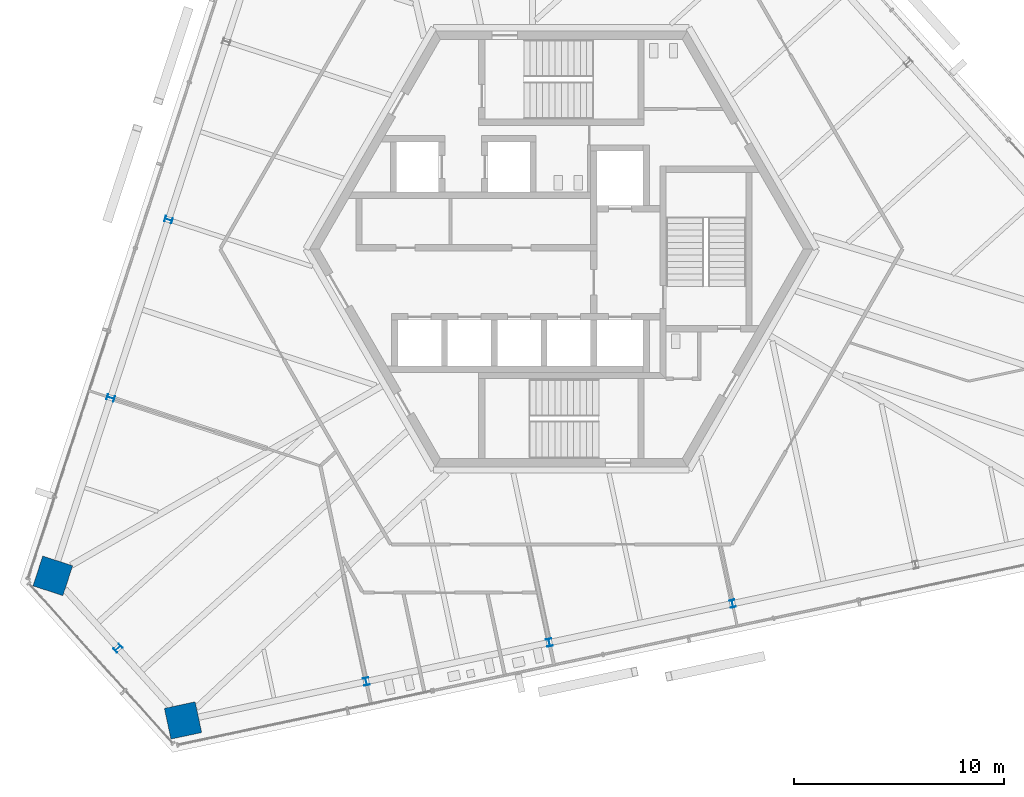
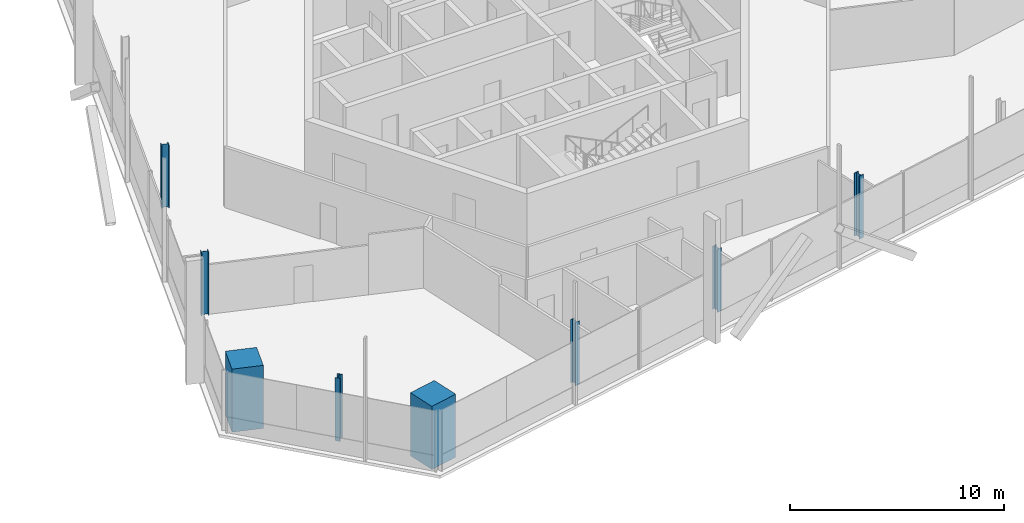
# One storey, part 1 of 17: 8 columns.
"""IFC4 building model written with IfcOpenShell, lengths in metres."""

from ifc_helpers import new_model, si_unit, direction, frame, origin, origin_2d, place, context, subcontext, project, spatial, rectangle, i_section, extrude, source, transform, mapped, material, material_profile, profile_set, type_object, element, save


model = new_model("IFC4")

# Units and contexts
model_context = context("Model", 3, precision=1e-05, world=origin(), true_north=direction((0.0, 1.0)))
body_context = subcontext(model_context, "Body", "Model", "MODEL_VIEW")
ifc_project = project(units=[si_unit("LENGTHUNIT", "METRE"), si_unit("AREAUNIT", "SQUARE_METRE"), si_unit("VOLUMEUNIT", "CUBIC_METRE"), si_unit("PLANEANGLEUNIT", "RADIAN"), si_unit("MASSUNIT", "GRAM", prefix="KILO")], contexts=[model_context])

# Site, building, storey
site_placement = place(None, origin())
site = spatial("IfcSite", under=ifc_project, at=site_placement, CompositionType="ELEMENT")
building_placement = place(site_placement, origin())
building = spatial("IfcBuilding", under=site, at=building_placement, Name="Triune Harvest Tower", CompositionType="ELEMENT")
storey_placement = place(building_placement, frame((0.0, 0.0, 273.89990234375)))
storey = spatial("IfcBuildingStorey", under=building, at=storey_placement, Name="L72", CompositionType="ELEMENT", Elevation=273.89990234375)

# Columns
ifc_material_1 = material(Name="Concrete 70 MPa", Category="concrete")
ifc_material_profile_1 = material_profile(ifc_material_1, rectangle(XDim=1.5, YDim=1.5, at=origin_2d()), Name="Composite 1500x1500")
ifc_profile_set_1 = profile_set([ifc_material_profile_1], Name="Concrete 70 MPa")
column_type_1 = type_object("IfcColumnType", Name="MC-7 Mega column Composite 1500x1500", PredefinedType="COLUMN", material=ifc_profile_set_1)
shared_shape_1 = source(origin(), body_context, "Body", "SweptSolid", [
    extrude(rectangle(XDim=1.5, YDim=1.5, at=origin_2d()), origin(), (0.0, 0.0, 1.0), 3.60009765625),
])
for number, where, z_axis, x_axis, name in (
    (1, (-24.24853515625, -15.58984375, 0.0), (0.0, 0.0, 1.0), (-0.309015334468, -0.95105705563, 0.0), "col/L72/M12"),
    (2, (-18.0390625, -22.486083984375, 0.0), (0.0, 0.0, 1.0), (0.978147237858, 0.207913398007, 0.0), "col/L72/M14"),
):
    element("IfcColumn", number, at=place(storey_placement, frame(where, z_axis=z_axis, x_axis=x_axis)), inside=storey, type_object=column_type_1, Name=name, PredefinedType="COLUMN", context=body_context, shape_type="MappedRepresentation", body=[
        mapped(shared_shape_1, transform((0.0, 0.0, 0.0), scale=1.0)),
    ])
ifc_material_2 = material(Name="Steel ASTM A992 Gr 50", Category="steel")
ifc_material_profile_2 = material_profile(ifc_material_2, i_section(OverallWidth=0.256591796875, OverallDepth=0.360595703125, WebThickness=0.011474609375, FlangeThickness=0.02001953125, at=origin_2d()), Name="W14x74")
ifc_profile_set_2 = profile_set([ifc_material_profile_2], Name="Steel ASTM A992 Gr 50")
column_type_2 = type_object("IfcColumnType", Name="PC-7 Perimeter column W14x74", PredefinedType="COLUMN", material=ifc_profile_set_2)
shared_shape_2 = source(origin(), body_context, "Body", "SweptSolid", [
    extrude(i_section(OverallWidth=0.256591796875, OverallDepth=0.360595703125, WebThickness=0.011474609375, FlangeThickness=0.02001953125, at=origin_2d()), origin(), (0.0, 0.0, 1.0), 3.60009765625),
])
for number, where, z_axis, x_axis, name in (
    (3, (-18.730712890625, 1.392333984375, 0.0), (0.0, 0.0, 1.0), (-0.309015334468, -0.95105705563, 0.0), "col/L72/P10"),
    (4, (-21.48974609375, -7.098876953125, 0.0), (0.0, 0.0, 1.0), (-0.309015334468, -0.95105705563, 0.0), "col/L72/P11"),
    (5, (-21.143798828125, -19.0380859375, 0.0), (0.0, 0.0, 1.0), (0.669129309325, -0.743145993329, 0.0), "col/L72/P13"),
    (6, (-9.30615234375, -20.6298828125, 0.0), (0.0, 0.0, 1.0), (0.978147237858, 0.207913398007, 0.0), "col/L72/P15"),
    (7, (-0.5732421875, -18.773681640625, 0.0), (0.0, 0.0, 1.0), (0.978147237858, 0.207913398007, 0.0), "col/L72/P16"),
    (8, (8.15966796875, -16.91748046875, 0.0), (0.0, 0.0, 1.0), (0.978147237858, 0.207913398007, 0.0), "col/L72/P17"),
):
    element("IfcColumn", number, at=place(storey_placement, frame(where, z_axis=z_axis, x_axis=x_axis)), inside=storey, type_object=column_type_2, Name=name, PredefinedType="COLUMN", context=body_context, shape_type="MappedRepresentation", body=[
        mapped(shared_shape_2, transform((0.0, 0.0, 0.0), scale=1.0)),
    ])

save(model, "model.ifc")
